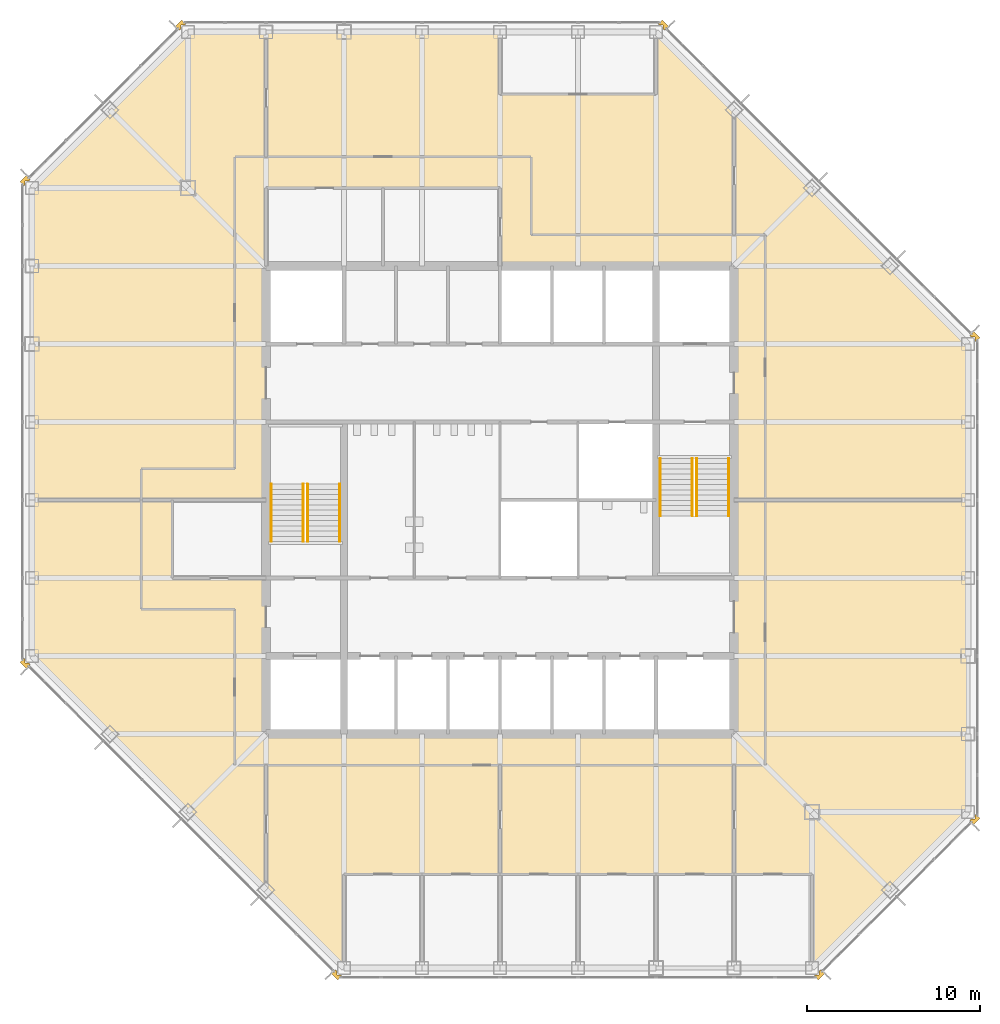
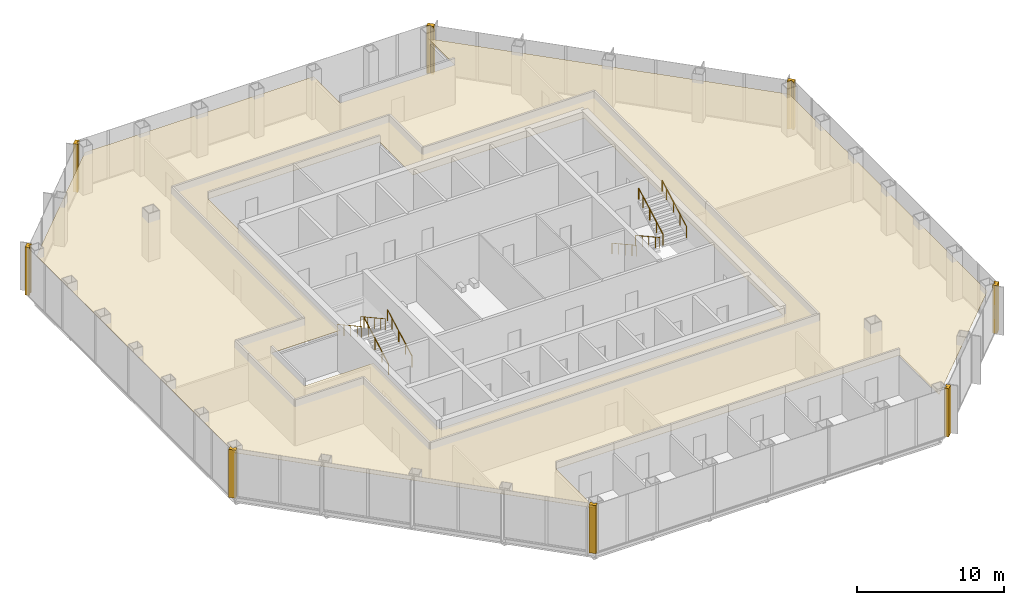
# One storey, part 11 of 12: 9 coverings, 8 railings.
"""IFC4 building model written with IfcOpenShell, lengths in metres."""

from ifc_helpers import new_model, si_unit, direction, frame, origin, origin_2d, place, context, subcontext, project, spatial, polyline, circle, outline, extrude, material, layer, layer_set, type_object, element, save


model = new_model("IFC4")

# Units and contexts
model_context = context("Model", 3, precision=1e-05, world=origin(), true_north=direction((0.0, 1.0)))
body_context = subcontext(model_context, "Body", "Model", "MODEL_VIEW")
ifc_project = project(units=[si_unit("LENGTHUNIT", "METRE"), si_unit("AREAUNIT", "SQUARE_METRE"), si_unit("VOLUMEUNIT", "CUBIC_METRE"), si_unit("PLANEANGLEUNIT", "RADIAN"), si_unit("MASSUNIT", "GRAM", prefix="KILO")], contexts=[model_context])

# Site, building, storey
site_placement = place(None, origin())
site = spatial("IfcSite", under=ifc_project, at=site_placement, CompositionType="ELEMENT")
building_placement = place(site_placement, origin())
building = spatial("IfcBuilding", under=site, at=building_placement, Name="Corais Broadcast Tower", CompositionType="ELEMENT")
storey_placement = place(building_placement, frame((0.0, 0.0, 143.60009765625)))
storey = spatial("IfcBuildingStorey", under=building, at=storey_placement, Name="L32", CompositionType="ELEMENT", Elevation=143.60009765625)

# Railings
ifc_material_1 = material(Name="Stainless steel handrail", Category="steel")
railing_type = type_object("IfcRailingType", Name="Handrail 920", PredefinedType="HANDRAIL", material=ifc_material_1)
for number, where, name in (
    (1, (17.75, 24.60009765625, 0.16650390625), "HR1 L32"),
    (2, (15.89990234375, 24.60009765625, 0.16650390625), "HR1 L32"),
):
    element("IfcRailing", number, at=place(storey_placement, frame(where)), inside=storey, type_object=railing_type, Name=name, PredefinedType="HANDRAIL", context=body_context, shape_type="SweptSolid", body=[
        extrude(circle(Radius=0.02392578125, at=origin_2d()), frame((0.0, 0.0, 0.89599609375), z_axis=(0.0, 0.875504475178, 0.483210010185), x_axis=(-1.0, 0.0, 0.0)), (0.0, 0.0, 1.0), 3.79443359375),
        extrude(circle(Radius=0.02099609375, at=origin_2d()), origin(), (0.0, 0.0, 1.0), 0.871826171875),
        extrude(circle(Radius=0.02099609375, at=origin_2d()), frame((0.0, 0.906005859375, 0.5)), (0.0, 0.0, 1.0), 0.871826171875),
        extrude(circle(Radius=0.02099609375, at=origin_2d()), frame((0.0, 1.81201171875, 1.0)), (0.0, 0.0, 1.0), 0.871826171875),
        extrude(circle(Radius=0.02099609375, at=origin_2d()), frame((0.0, 2.718017578125, 1.500244140625)), (0.0, 0.0, 1.0), 0.871826171875),
        extrude(circle(Radius=0.02099609375, at=origin_2d()), frame((0.0, 3.322021484375, 1.83349609375)), (0.0, 0.0, 1.0), 0.871826171875),
    ])
for number, where, name in (
    (3, (13.800048828125, 27.922119140625, 2.16650390625), "HR1 L32"),
    (4, (15.64990234375, 27.922119140625, 2.16650390625), "HR1 L32"),
    (5, (36.25, 29.39990234375, 0.16650390625), "HR1 L32"),
    (6, (38.10009765625, 29.39990234375, 0.16650390625), "HR1 L32"),
):
    element("IfcRailing", number, at=place(storey_placement, frame(where)), inside=storey, type_object=railing_type, Name=name, PredefinedType="HANDRAIL", context=body_context, shape_type="SweptSolid", body=[
        extrude(circle(Radius=0.02392578125, at=origin_2d()), frame((0.0, 0.0, 0.89599609375), z_axis=(0.0, -0.875504475178, 0.483210010185), x_axis=(1.0, 0.0, 0.0)), (0.0, 0.0, 1.0), 3.79443359375),
        extrude(circle(Radius=0.02099609375, at=origin_2d()), origin(), (0.0, 0.0, 1.0), 0.871826171875),
        extrude(circle(Radius=0.02099609375, at=origin_2d()), frame((0.0, -0.906005859375, 0.5)), (0.0, 0.0, 1.0), 0.871826171875),
        extrude(circle(Radius=0.02099609375, at=origin_2d()), frame((0.0, -1.81201171875, 1.0)), (0.0, 0.0, 1.0), 0.871826171875),
        extrude(circle(Radius=0.02099609375, at=origin_2d()), frame((0.0, -2.718017578125, 1.500244140625)), (0.0, 0.0, 1.0), 0.871826171875),
        extrude(circle(Radius=0.02099609375, at=origin_2d()), frame((0.0, -3.322021484375, 1.83349609375)), (0.0, 0.0, 1.0), 0.871826171875),
    ])
for number, where, name in (
    (7, (40.199951171875, 26.077880859375, 2.16650390625), "HR1 L32"),
    (8, (38.35009765625, 26.077880859375, 2.16650390625), "HR1 L32"),
):
    element("IfcRailing", number, at=place(storey_placement, frame(where)), inside=storey, type_object=railing_type, Name=name, PredefinedType="HANDRAIL", context=body_context, shape_type="SweptSolid", body=[
        extrude(circle(Radius=0.02392578125, at=origin_2d()), frame((0.0, 0.0, 0.89599609375), z_axis=(0.0, 0.875504475178, 0.483210010185), x_axis=(-1.0, 0.0, 0.0)), (0.0, 0.0, 1.0), 3.79443359375),
        extrude(circle(Radius=0.02099609375, at=origin_2d()), origin(), (0.0, 0.0, 1.0), 0.871826171875),
        extrude(circle(Radius=0.02099609375, at=origin_2d()), frame((0.0, 0.906005859375, 0.5)), (0.0, 0.0, 1.0), 0.871826171875),
        extrude(circle(Radius=0.02099609375, at=origin_2d()), frame((0.0, 1.81201171875, 1.0)), (0.0, 0.0, 1.0), 0.871826171875),
        extrude(circle(Radius=0.02099609375, at=origin_2d()), frame((0.0, 2.718017578125, 1.500244140625)), (0.0, 0.0, 1.0), 0.871826171875),
        extrude(circle(Radius=0.02099609375, at=origin_2d()), frame((0.0, 3.322021484375, 1.83349609375)), (0.0, 0.0, 1.0), 0.871826171875),
    ])

# Coverings
ifc_material_2 = material(Name="Granite stone cladding", Category="masonry")
ifc_layer_1 = layer(ifc_material_2, 0.324951171875)
ifc_layer_set_1 = layer_set([ifc_layer_1], Name="Granite stone cladding")
covering_type_1 = type_object("IfcCoveringType", Name="Stone corner pier cladding 500x325", PredefinedType="CLADDING", material=ifc_layer_set_1)
covering_1_placement = place(storey_placement, origin())
element("IfcCovering", 9, at=covering_1_placement, inside=storey, type_object=covering_type_1, Name="SP1 stone corner pier L32", PredefinedType="CLADDING", context=body_context, shape_type="SweptSolid", body=[
    extrude(outline(polyline([(17.860595703125, -0.461669921875), (17.799072265625, -0.39990234375), (17.60009765625, -0.39990234375), (17.60009765625, -0.200927734375), (17.507080078125, -0.108154296875), (17.277099609375, -0.337890625), (17.630859375, -0.69140625), (17.860595703125, -0.461669921875)])), origin(), (0.0, 0.0, 1.0), 4.0),
])
covering_2_placement = place(storey_placement, origin())
element("IfcCovering", 10, at=covering_2_placement, inside=storey, type_object=covering_type_1, Name="SP1 stone corner pier L32", PredefinedType="CLADDING", context=body_context, shape_type="SweptSolid", body=[
    extrude(outline(polyline([(-0.39990234375, 17.799072265625), (-0.461669921875, 17.860595703125), (-0.69140625, 17.630859375), (-0.337890625, 17.277099609375), (-0.108154296875, 17.507080078125), (-0.200927734375, 17.60009765625), (-0.39990234375, 17.60009765625), (-0.39990234375, 17.799072265625)])), origin(), (0.0, 0.0, 1.0), 4.0),
])
covering_3_placement = place(storey_placement, origin())
element("IfcCovering", 11, at=covering_3_placement, inside=storey, type_object=covering_type_1, Name="SP1 stone corner pier L32", PredefinedType="CLADDING", context=body_context, shape_type="SweptSolid", body=[
    extrude(outline(polyline([(-0.461669921875, 45.139404296875), (-0.39990234375, 45.200927734375), (-0.39990234375, 45.39990234375), (-0.200927734375, 45.39990234375), (-0.108154296875, 45.492919921875), (-0.337890625, 45.722900390625), (-0.69140625, 45.369140625), (-0.461669921875, 45.139404296875)])), origin(), (0.0, 0.0, 1.0), 4.0),
])
covering_4_placement = place(storey_placement, origin())
element("IfcCovering", 12, at=covering_4_placement, inside=storey, type_object=covering_type_1, Name="SP1 stone corner pier L32", PredefinedType="CLADDING", context=body_context, shape_type="SweptSolid", body=[
    extrude(outline(polyline([(8.799072265625, 54.39990234375), (8.860595703125, 54.461669921875), (8.630859375, 54.69140625), (8.277099609375, 54.337890625), (8.507080078125, 54.108154296875), (8.60009765625, 54.200927734375), (8.60009765625, 54.39990234375), (8.799072265625, 54.39990234375)])), origin(), (0.0, 0.0, 1.0), 4.0),
])
covering_5_placement = place(storey_placement, origin())
element("IfcCovering", 13, at=covering_5_placement, inside=storey, type_object=covering_type_1, Name="SP1 stone corner pier L32", PredefinedType="CLADDING", context=body_context, shape_type="SweptSolid", body=[
    extrude(outline(polyline([(36.139404296875, 54.461669921875), (36.200927734375, 54.39990234375), (36.39990234375, 54.39990234375), (36.39990234375, 54.200927734375), (36.492919921875, 54.108154296875), (36.722900390625, 54.337890625), (36.369140625, 54.69140625), (36.139404296875, 54.461669921875)])), origin(), (0.0, 0.0, 1.0), 4.0),
])
covering_6_placement = place(storey_placement, origin())
element("IfcCovering", 14, at=covering_6_placement, inside=storey, type_object=covering_type_1, Name="SP1 stone corner pier L32", PredefinedType="CLADDING", context=body_context, shape_type="SweptSolid", body=[
    extrude(outline(polyline([(54.39990234375, 36.200927734375), (54.461669921875, 36.139404296875), (54.69140625, 36.369140625), (54.337890625, 36.722900390625), (54.108154296875, 36.492919921875), (54.200927734375, 36.39990234375), (54.39990234375, 36.39990234375), (54.39990234375, 36.200927734375)])), origin(), (0.0, 0.0, 1.0), 4.0),
])
covering_7_placement = place(storey_placement, origin())
element("IfcCovering", 15, at=covering_7_placement, inside=storey, type_object=covering_type_1, Name="SP1 stone corner pier L32", PredefinedType="CLADDING", context=body_context, shape_type="SweptSolid", body=[
    extrude(outline(polyline([(54.461669921875, 8.860595703125), (54.39990234375, 8.799072265625), (54.39990234375, 8.60009765625), (54.200927734375, 8.60009765625), (54.108154296875, 8.507080078125), (54.337890625, 8.277099609375), (54.69140625, 8.630859375), (54.461669921875, 8.860595703125)])), origin(), (0.0, 0.0, 1.0), 4.0),
])
covering_8_placement = place(storey_placement, origin())
element("IfcCovering", 16, at=covering_8_placement, inside=storey, type_object=covering_type_1, Name="SP1 stone corner pier L32", PredefinedType="CLADDING", context=body_context, shape_type="SweptSolid", body=[
    extrude(outline(polyline([(45.200927734375, -0.39990234375), (45.139404296875, -0.461669921875), (45.369140625, -0.69140625), (45.722900390625, -0.337890625), (45.492919921875, -0.108154296875), (45.39990234375, -0.200927734375), (45.39990234375, -0.39990234375), (45.200927734375, -0.39990234375)])), origin(), (0.0, 0.0, 1.0), 4.0),
])
ifc_material_3 = material(Name="Mineral fibre ceiling tile", Category="mineral")
ifc_layer_2 = layer(ifc_material_3, 0.02001953125)
ifc_layer_set_2 = layer_set([ifc_layer_2], Name="Mineral fibre ceiling tile")
covering_type_2 = type_object("IfcCoveringType", Name="Suspended ceiling", PredefinedType="CEILING", material=ifc_layer_set_2)
covering_9_placement = place(storey_placement, frame((0.0, 0.0, 3.219970703125)))
element("IfcCovering", 17, at=covering_9_placement, inside=storey, type_object=covering_type_2, Name="CE1 ceiling L32", PredefinedType="CEILING", context=body_context, shape_type="SweptSolid", body=[
    extrude(outline(polyline([(18.0, 0.0), (13.501708984375, 4.498291015625), (13.499755859375, 4.500244140625), (0.0, 18.0), (0.0, 45.0), (9.0, 54.0), (27.0, 54.0), (27.0, 50.39990234375), (36.0, 50.39990234375), (36.0, 54.0), (54.0, 36.0), (54.0, 9.0), (45.0, 0.0), (45.0, 5.39990234375), (18.0, 5.39990234375), (18.0, 0.0)]), holes=[polyline([(13.5, 13.5), (40.5, 13.5), (40.5, 40.5), (27.0, 40.5), (27.0, 45.0), (13.5, 45.0), (13.5, 27.00048828125), (8.10009765625, 27.00048828125), (8.10009765625, 22.5), (13.5, 22.5), (13.5, 13.5)])]), origin(), (0.0, 0.0, 1.0), 0.02001953125),
])

save(model, "model.ifc")
